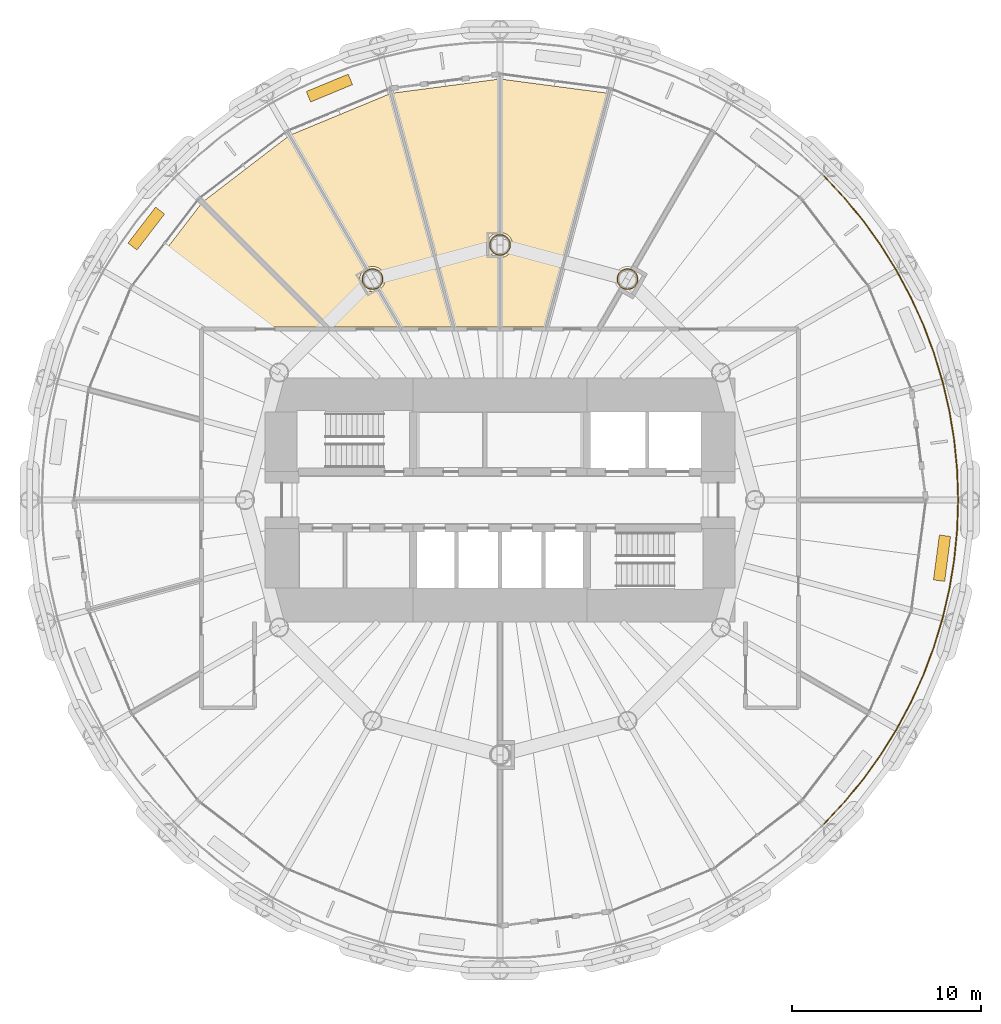
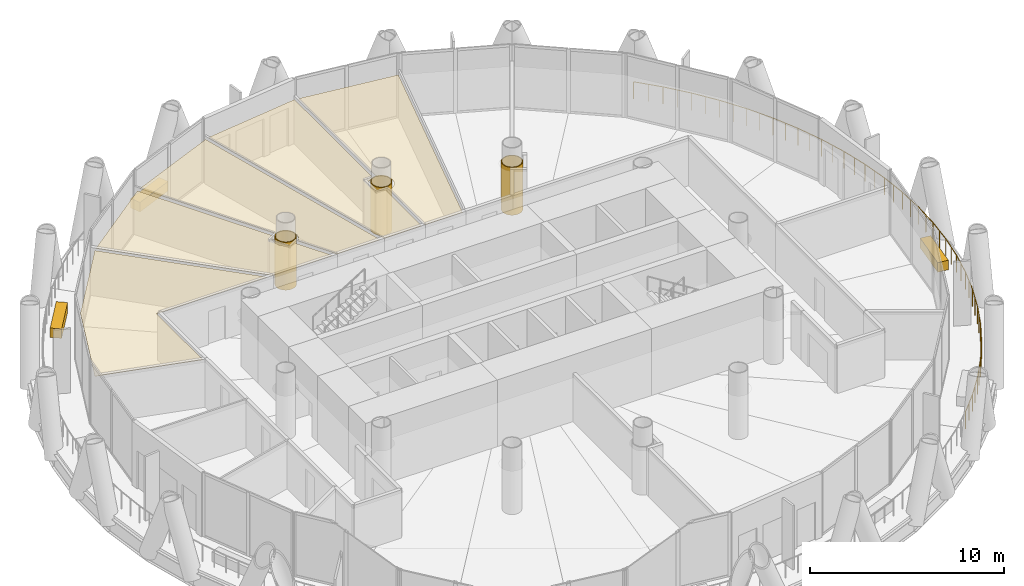
# One storey, part 15 of 16: 11 coverings, 1 railing.
"""IFC4 building model written with IfcOpenShell, lengths in metres."""

import ifcopenshell
import ifcopenshell.guid

model = None  # the IFC model being written
_history = None  # IfcOwnerHistory: only IFC2X3 demands one
_inside = {}  # id of a spatial element -> (the spatial element, [elements in it])
_under = {}  # id of a project, library or spatial element -> (it, [spatial elements below it])
_declared = {}  # id of a project -> (the project, [libraries it declares])
_typed = {}  # id of a type object -> (the type object, [elements of that type])
_made_of = {}  # id of a material, layer set ... -> (it, [elements and type objects made of it])


def new_model(schema):
    """Start an empty IFC model of exactly this schema.

    Asked for "IFC4X3", IfcOpenShell would pick the latest addendum, in which some entities
    have other attributes; the version numbers below select the first issue.
    IFC2X3 requires an IfcOwnerHistory on every rooted entity: one is made here for all.
    """
    global model, _history
    if schema == "IFC4X3":
        model = ifcopenshell.file(schema_version=(4, 3, 0, 0))
    else:
        model = ifcopenshell.file(schema=schema)
    _inside.clear()
    _under.clear()
    _declared.clear()
    _typed.clear()
    _made_of.clear()
    _history = None
    if model.schema == "IFC2X3":
        org = make("IfcOrganization", Name="unknown")
        user = make(
            "IfcPersonAndOrganization",
            ThePerson=make("IfcPerson", FamilyName="unknown"),
            TheOrganization=org,
        )
        app = make(
            "IfcApplication",
            ApplicationDeveloper=org,
            Version="unknown",
            ApplicationFullName="unknown",
            ApplicationIdentifier="unknown",
        )
        _history = make(
            "IfcOwnerHistory",
            OwningUser=user,
            OwningApplication=app,
            ChangeAction="ADDED",
            CreationDate=0,
        )
    return model


def make(cls, **values):
    """One entity of the class cls with the attributes given. An attribute that is None is left unset."""
    return model.create_entity(
        cls, **{name: value for name, value in values.items() if value is not None}
    )


def rooted(cls, **values):
    """An entity with a GlobalId (a new one), such as an element, a storey or a relation."""
    return make(cls, GlobalId=ifcopenshell.guid.new(), OwnerHistory=_history, **values)


def si_unit(unit_type, name, prefix=None):
    """IfcSIUnit, for example si_unit("LENGTHUNIT", "METRE", prefix="MILLI")."""
    return make("IfcSIUnit", UnitType=unit_type, Prefix=prefix, Name=name)


def assignment(units):
    """IfcUnitAssignment: the units of a project."""
    return None if units is None else make("IfcUnitAssignment", Units=units)


def point(xyz):
    """IfcCartesianPoint."""
    return None if xyz is None else make("IfcCartesianPoint", Coordinates=xyz)


def direction(xyz):
    """IfcDirection."""
    return None if xyz is None else make("IfcDirection", DirectionRatios=xyz)


def frame(location, z_axis=None, x_axis=None):
    """IfcAxis2Placement3D, a coordinate frame: its origin and axes. An axis left out is left unset."""
    return make(
        "IfcAxis2Placement3D",
        Location=point(location),
        Axis=direction(z_axis),
        RefDirection=direction(x_axis),
    )


def frame_2d(location, x_axis=None):
    """IfcAxis2Placement2D, a coordinate frame in the plane: its origin and x axis."""
    return make(
        "IfcAxis2Placement2D", Location=point(location), RefDirection=direction(x_axis)
    )


def origin():
    """The frame at (0, 0, 0) with its axes left unset."""
    return frame((0.0, 0.0, 0.0))


def origin_2d():
    """The frame at (0, 0) in the plane with its x axis left unset."""
    return frame_2d((0.0, 0.0))


def place(relative_to, where):
    """IfcLocalPlacement: puts the frame where relative to a parent placement (None: the world)."""
    return make(
        "IfcLocalPlacement", PlacementRelTo=relative_to, RelativePlacement=where
    )


def context(
    kind, dimensions, precision=None, world=None, true_north=None, identifier=None
):
    """IfcGeometricRepresentationContext, for example the 3D "Model" context."""
    return make(
        "IfcGeometricRepresentationContext",
        ContextIdentifier=identifier,
        ContextType=kind,
        CoordinateSpaceDimension=dimensions,
        Precision=precision,
        WorldCoordinateSystem=world,
        TrueNorth=true_north,
    )


def subcontext(parent, identifier, kind, view, scale=None):
    """IfcGeometricRepresentationSubContext, for example "Body" below "Model"."""
    return make(
        "IfcGeometricRepresentationSubContext",
        ContextIdentifier=identifier,
        ContextType=kind,
        ParentContext=parent,
        TargetScale=scale,
        TargetView=view,
    )


def project(units=None, contexts=None):
    """IfcProject with its units and contexts."""
    return rooted(
        "IfcProject",
        Name="project",
        RepresentationContexts=contexts,
        UnitsInContext=assignment(units),
    )


def spatial(cls, under=None, at=None, **own):
    """A site, building, storey or space (cls), placed at a placement, below another one or the project."""
    s = rooted(cls, ObjectPlacement=at, **own)
    if under is not None:
        _under.setdefault(under.id(), (under, []))[1].append(s)
    return s


def polyline(points):
    """IfcPolyline through the points."""
    return make("IfcPolyline", Points=[point(p) for p in points])


def profile(cls, at=None, kind="AREA", **sizes):
    """A parametric profile (cls). Its sizes go by their IFC names, for example OverallWidth=200.0."""
    return make(cls, ProfileType=kind, Position=at, **sizes)


def rectangle(**sizes):
    """IfcRectangleProfileDef."""
    return profile("IfcRectangleProfileDef", **sizes)


def circle(**sizes):
    """IfcCircleProfileDef."""
    return profile("IfcCircleProfileDef", **sizes)


def outline(outer, holes=None, kind="AREA"):
    """IfcArbitraryClosedProfileDef: a profile drawn as a closed curve; with holes, ...WithVoids."""
    if holes is None:
        return make("IfcArbitraryClosedProfileDef", ProfileType=kind, OuterCurve=outer)
    return make(
        "IfcArbitraryProfileDefWithVoids",
        ProfileType=kind,
        OuterCurve=outer,
        InnerCurves=holes,
    )


def extrude(swept, where, along, depth):
    """IfcExtrudedAreaSolid: the profile swept, set in the frame where, extruded along a direction by depth."""
    return make(
        "IfcExtrudedAreaSolid",
        SweptArea=swept,
        Position=where,
        ExtrudedDirection=direction(along),
        Depth=depth,
    )


def shape(context_of_items, identifier, shape_type, items):
    """IfcShapeRepresentation: the items that make up one representation, for example the "Body"."""
    return make(
        "IfcShapeRepresentation",
        ContextOfItems=context_of_items,
        RepresentationIdentifier=identifier,
        RepresentationType=shape_type,
        Items=items,
    )


def material(Name=None, Category=None):
    """IfcMaterial."""
    return make("IfcMaterial", Name=Name, Category=Category)


def layer(
    of_material, thickness, ventilated=None, Name=None, Category=None, Priority=None
):
    """IfcMaterialLayer: one layer of a wall or slab, of a material (None: an air gap)."""
    return make(
        "IfcMaterialLayer",
        Material=of_material,
        LayerThickness=thickness,
        IsVentilated=ventilated,
        Name=Name,
        Category=Category,
        Priority=Priority,
    )


def layer_set(layers, Name=None):
    """IfcMaterialLayerSet."""
    return make("IfcMaterialLayerSet", MaterialLayers=layers, LayerSetName=Name)


def made_of(thing, what):
    """Note that an element or type object is made of a material, layer set ...; save() writes the relation."""
    if what is not None:
        _made_of.setdefault(what.id(), (what, []))[1].append(thing)
    return thing


def type_object(cls, material=None, **own):
    """A type object (cls), such as IfcWallType, which elements share."""
    return made_of(rooted(cls, **own), material)


def element(
    cls,
    number,
    at=None,
    inside=None,
    cuts=None,
    type_object=None,
    material=None,
    context=None,
    identifier="Body",
    shape_type=None,
    held_by="IfcProductDefinitionShape",
    body=None,
    shapes=None,
    **own,
):
    """One element of the class cls, such as IfcWall. Its Tag is "e" and its number.

    at: its placement. inside: the storey or other place that contains it. cuts: it is an
    opening in that element (IfcRelVoidsElement). A single representation is given by context,
    identifier, shape_type and body (its items); several are given by shapes. held_by: the class
    of the entity that holds the representations. save() writes the other relations.
    """
    e = rooted(cls, Tag="e%d" % number, ObjectPlacement=at, **own)
    if body is not None:
        shapes = [shape(context, identifier, shape_type, body)]
    if shapes is not None:
        e.Representation = make(held_by, Representations=shapes)
    if inside is not None:
        _inside.setdefault(inside.id(), (inside, []))[1].append(e)
    if cuts is not None:
        rooted(
            "IfcRelVoidsElement", RelatingBuildingElement=cuts, RelatedOpeningElement=e
        )
    if type_object is not None:
        _typed.setdefault(type_object.id(), (type_object, []))[1].append(e)
    return made_of(e, material)


def aggregate(whole, parts):
    """IfcRelAggregates: a whole, such as a stair, and the parts it consists of."""
    return rooted("IfcRelAggregates", RelatingObject=whole, RelatedObjects=parts)


def save(model, path):
    """Write the relations noted so far, then the file.

    IfcRelAggregates (storeys below a building ...), IfcRelContainedInSpatialStructure (elements
    in a storey), IfcRelDefinesByType, IfcRelAssociatesMaterial and IfcRelDeclares: one each for
    every whole, place, type object, material and project.
    """
    for whole, parts in _under.values():
        aggregate(whole, parts)
    for where, things in _inside.values():
        rooted(
            "IfcRelContainedInSpatialStructure",
            RelatedElements=things,
            RelatingStructure=where,
        )
    for kind, things in _typed.values():
        rooted("IfcRelDefinesByType", RelatedObjects=things, RelatingType=kind)
    for what, things in _made_of.values():
        rooted("IfcRelAssociatesMaterial", RelatedObjects=things, RelatingMaterial=what)
    for by, libraries in _declared.values():
        rooted("IfcRelDeclares", RelatingContext=by, RelatedDefinitions=libraries)
    model.write(path)


model = new_model("IFC4")

# Units and contexts
model_context = context("Model", 3, precision=1e-05, world=origin(), true_north=direction((0.0, 1.0)))
body_context = subcontext(model_context, "Body", "Model", "MODEL_VIEW")
ifc_project = project(units=[si_unit("LENGTHUNIT", "METRE"), si_unit("AREAUNIT", "SQUARE_METRE"), si_unit("VOLUMEUNIT", "CUBIC_METRE"), si_unit("PLANEANGLEUNIT", "RADIAN"), si_unit("MASSUNIT", "GRAM", prefix="KILO")], contexts=[model_context])

# Site, building, storey
site_placement = place(None, origin())
site = spatial("IfcSite", under=ifc_project, at=site_placement, CompositionType="ELEMENT")
building_placement = place(site_placement, origin())
building = spatial("IfcBuilding", under=site, at=building_placement, Name="Qaws Media Tower", CompositionType="ELEMENT")
storey_placement = place(building_placement, frame((0.0, 0.0, 139.39990234375)))
storey = spatial("IfcBuildingStorey", under=building, at=storey_placement, Name="L31", CompositionType="ELEMENT", Elevation=139.39990234375)

# Covering
ifc_material_1 = material(Name="40 perforated acoustic panels with mineral wool backing, suspended", Category="mineral fibre")
ifc_layer_1 = layer(ifc_material_1, 0.0400390625)
ifc_layer_set_1 = layer_set([ifc_layer_1], Name="Acoustic panel ceiling 40")
covering_type_1 = type_object("IfcCoveringType", Name="Acoustic panel ceiling 40", PredefinedType="CEILING", material=ifc_layer_set_1)
covering_1_placement = place(storey_placement, frame((0.0, 0.0, 2.85009765625)))
element("IfcCovering", 1, at=covering_1_placement, inside=storey, type_object=covering_type_1, Name="CL3 ceiling L31-05 Meeting room", PredefinedType="CEILING", context=body_context, shape_type="SweptSolid", body=[
    extrude(outline(polyline([(59.887451171875, 72.2705078125), (59.887451171875, 64.1572265625), (59.8271484375, 64.145263671875), (59.744384765625, 64.1171875), (59.666015625, 64.07861328125), (59.59326171875, 64.030029296875), (59.527587890625, 63.972412109375), (59.469970703125, 63.90673828125), (59.42138671875, 63.833984375), (59.3828125, 63.755615234375), (59.354736328125, 63.6728515625), (59.337646484375, 63.587158203125), (59.33203125, 63.5), (59.337646484375, 63.412841796875), (59.354736328125, 63.3271484375), (59.3828125, 63.244384765625), (59.42138671875, 63.166015625), (59.469970703125, 63.09326171875), (59.527587890625, 63.027587890625), (59.59326171875, 62.969970703125), (59.666015625, 62.92138671875), (59.744384765625, 62.8828125), (59.8271484375, 62.854736328125), (59.887451171875, 62.8427734375), (59.887451171875, 59.16259765625), (57.661376953125, 59.16259765625), (54.3447265625, 71.540771484375), (59.887451171875, 72.2705078125)])), origin(), (0.0, 0.0, 1.0), 0.0400390625),
])

# Railing
ifc_material_2 = material(Name="Stainless steel and glass guard", Category="steel")
railing_type = type_object("IfcRailingType", Name="Balcony guard 1100", PredefinedType="GUARDRAIL", material=ifc_material_2)
railing_placement = place(storey_placement, frame((77.1474609375, 32.8525390625, 0.0)))
element("IfcRailing", 2, at=railing_placement, inside=storey, type_object=railing_type, Name="GR1 balcony guard L31-4", PredefinedType="GUARDRAIL", context=body_context, shape_type="SweptSolid", body=[
    extrude(circle(Radius=0.02392578125, at=origin_2d()), frame((0.0, 0.0, 1.076171875), z_axis=(0.683572560121, 0.729882562506, 0.0), x_axis=(-0.729882562506, 0.683572560121, 0.0)), (0.0, 0.0, 1.0), 1.5869140625),
    extrude(circle(Radius=0.02392578125, at=origin_2d()), frame((1.084716796875, 1.158203125, 1.076171875), z_axis=(0.634309538939, 0.773079173701, 0.0), x_axis=(-0.773079173701, 0.634309538939, 0.0)), (0.0, 0.0, 1.0), 1.5869140625),
    extrude(circle(Radius=0.02392578125, at=origin_2d()), frame((2.09130859375, 2.385009765625, 1.076171875), z_axis=(0.582503693952, 0.812828054715, 0.0), x_axis=(-0.812828054715, 0.582503693952, 0.0)), (0.0, 0.0, 1.0), 1.5869140625),
    extrude(circle(Radius=0.02392578125, at=origin_2d()), frame((3.015625, 3.6748046875, 1.076171875), z_axis=(0.528117041741, 0.849171590565, 0.0), x_axis=(-0.849171590565, 0.528117041741, 0.0)), (0.0, 0.0, 1.0), 1.5869140625),
    extrude(circle(Radius=0.02392578125, at=origin_2d()), frame((3.853759765625, 5.0224609375, 1.076171875), z_axis=(0.471418536424, 0.881909611874, 0.0), x_axis=(-0.881909611874, 0.471418536424, 0.0)), (0.0, 0.0, 1.0), 1.5869140625),
    extrude(circle(Radius=0.02392578125, at=origin_2d()), frame((4.601806640625, 6.421875, 1.076171875), z_axis=(0.412608719451, 0.910908362368, 0.0), x_axis=(-0.910908362368, 0.412608719451, 0.0)), (0.0, 0.0, 1.0), 1.5869140625),
    extrude(circle(Radius=0.02392578125, at=origin_2d()), frame((5.256591796875, 7.867431640625, 1.076171875), z_axis=(0.352320246807, 0.935879502762, 0.0), x_axis=(-0.935879502762, 0.352320246807, 0.0)), (0.0, 0.0, 1.0), 1.5869140625),
    extrude(circle(Radius=0.02392578125, at=origin_2d()), frame((5.815673828125, 9.3525390625, 1.076171875), z_axis=(0.290169656538, 0.956975219337, 0.0), x_axis=(-0.956975219337, 0.290169656538, 0.0)), (0.0, 0.0, 1.0), 1.5869140625),
    extrude(circle(Radius=0.02392578125, at=origin_2d()), frame((6.276123046875, 10.87109375, 1.076171875), z_axis=(0.227083706128, 0.973875243761, 0.0), x_axis=(-0.973875243761, 0.227083706128, 0.0)), (0.0, 0.0, 1.0), 1.5869140625),
    extrude(circle(Radius=0.02392578125, at=origin_2d()), frame((6.636474609375, 12.41650390625, 1.076171875), z_axis=(0.162926836817, 0.986638153451, 0.0), x_axis=(-0.986638153451, 0.162926836817, 0.0)), (0.0, 0.0, 1.0), 1.5869140625),
    extrude(circle(Radius=0.02392578125, at=origin_2d()), frame((6.89501953125, 13.982177734375, 1.076171875), z_axis=(0.097995674369, 0.995186840651, 0.0), x_axis=(-0.995186840651, 0.097995674369, 0.0)), (0.0, 0.0, 1.0), 1.5869140625),
    extrude(circle(Radius=0.02392578125, at=origin_2d()), frame((7.050537109375, 15.5615234375, 1.076171875), z_axis=(0.032771796378, 0.999462860422, 0.0), x_axis=(-0.999462860422, 0.032771796378, 0.0)), (0.0, 0.0, 1.0), 1.586669921875),
    extrude(circle(Radius=0.02392578125, at=origin_2d()), frame((7.1025390625, 17.1474609375, 1.076171875), z_axis=(-0.032771796378, 0.999462860422, 0.0), x_axis=(-0.999462860422, -0.032771796378, 0.0)), (0.0, 0.0, 1.0), 1.586669921875),
    extrude(circle(Radius=0.02392578125, at=origin_2d()), frame((7.050537109375, 18.7333984375, 1.076171875), z_axis=(-0.097995674369, 0.995186840651, 0.0), x_axis=(-0.995186840651, -0.097995674369, 0.0)), (0.0, 0.0, 1.0), 1.5869140625),
    extrude(circle(Radius=0.02392578125, at=origin_2d()), frame((6.89501953125, 20.312744140625, 1.076171875), z_axis=(-0.162926836817, 0.986638153451, 0.0), x_axis=(-0.986638153451, -0.162926836817, 0.0)), (0.0, 0.0, 1.0), 1.5869140625),
    extrude(circle(Radius=0.02392578125, at=origin_2d()), frame((6.636474609375, 21.87841796875, 1.076171875), z_axis=(-0.227083706128, 0.973875243761, 0.0), x_axis=(-0.973875243761, -0.227083706128, 0.0)), (0.0, 0.0, 1.0), 1.5869140625),
    extrude(circle(Radius=0.02392578125, at=origin_2d()), frame((6.276123046875, 23.423828125, 1.076171875), z_axis=(-0.290169656538, 0.956975219337, 0.0), x_axis=(-0.956975219337, -0.290169656538, 0.0)), (0.0, 0.0, 1.0), 1.5869140625),
    extrude(circle(Radius=0.02392578125, at=origin_2d()), frame((5.815673828125, 24.9423828125, 1.076171875), z_axis=(-0.352320246807, 0.935879502762, 0.0), x_axis=(-0.935879502762, -0.352320246807, 0.0)), (0.0, 0.0, 1.0), 1.5869140625),
    extrude(circle(Radius=0.02392578125, at=origin_2d()), frame((5.256591796875, 26.427490234375, 1.076171875), z_axis=(-0.412608719451, 0.910908362368, 0.0), x_axis=(-0.910908362368, -0.412608719451, 0.0)), (0.0, 0.0, 1.0), 1.5869140625),
    extrude(circle(Radius=0.02392578125, at=origin_2d()), frame((4.601806640625, 27.873046875, 1.076171875), z_axis=(-0.471418536424, 0.881909611874, 0.0), x_axis=(-0.881909611874, -0.471418536424, 0.0)), (0.0, 0.0, 1.0), 1.5869140625),
    extrude(circle(Radius=0.02392578125, at=origin_2d()), frame((3.853759765625, 29.2724609375, 1.076171875), z_axis=(-0.528117041741, 0.849171590565, 0.0), x_axis=(-0.849171590565, -0.528117041741, 0.0)), (0.0, 0.0, 1.0), 1.5869140625),
    extrude(circle(Radius=0.02392578125, at=origin_2d()), frame((3.015625, 30.6201171875, 1.076171875), z_axis=(-0.582503693952, 0.812828054715, 0.0), x_axis=(-0.812828054715, -0.582503693952, 0.0)), (0.0, 0.0, 1.0), 1.5869140625),
    extrude(circle(Radius=0.02392578125, at=origin_2d()), frame((2.09130859375, 31.909912109375, 1.076171875), z_axis=(-0.634309538939, 0.773079173701, 0.0), x_axis=(-0.773079173701, -0.634309538939, 0.0)), (0.0, 0.0, 1.0), 1.5869140625),
    extrude(circle(Radius=0.02392578125, at=origin_2d()), frame((1.084716796875, 33.13671875, 1.076171875), z_axis=(-0.683572560121, 0.729882562506, 0.0), x_axis=(-0.729882562506, -0.683572560121, 0.0)), (0.0, 0.0, 1.0), 1.5869140625),
    extrude(circle(Radius=0.02099609375, at=origin_2d()), origin(), (0.0, 0.0, 1.0), 1.052001953125),
    extrude(circle(Radius=0.02099609375, at=origin_2d()), frame((0.54248046875, 0.5791015625, 0.0)), (0.0, 0.0, 1.0), 1.052001953125),
    extrude(circle(Radius=0.02099609375, at=origin_2d()), frame((1.084716796875, 1.158203125, 0.0)), (0.0, 0.0, 1.0), 1.052001953125),
    extrude(circle(Radius=0.02099609375, at=origin_2d()), frame((1.587890625, 1.771484375, 0.0)), (0.0, 0.0, 1.0), 1.052001953125),
    extrude(circle(Radius=0.02099609375, at=origin_2d()), frame((2.09130859375, 2.385009765625, 0.0)), (0.0, 0.0, 1.0), 1.052001953125),
    extrude(circle(Radius=0.02099609375, at=origin_2d()), frame((2.553466796875, 3.02978515625, 0.0)), (0.0, 0.0, 1.0), 1.052001953125),
    extrude(circle(Radius=0.02099609375, at=origin_2d()), frame((3.015625, 3.6748046875, 0.0)), (0.0, 0.0, 1.0), 1.052001953125),
    extrude(circle(Radius=0.02099609375, at=origin_2d()), frame((3.4345703125, 4.3486328125, 0.0)), (0.0, 0.0, 1.0), 1.052001953125),
    extrude(circle(Radius=0.02099609375, at=origin_2d()), frame((3.853759765625, 5.0224609375, 0.0)), (0.0, 0.0, 1.0), 1.052001953125),
    extrude(circle(Radius=0.02099609375, at=origin_2d()), frame((4.227783203125, 5.72216796875, 0.0)), (0.0, 0.0, 1.0), 1.052001953125),
    extrude(circle(Radius=0.02099609375, at=origin_2d()), frame((4.601806640625, 6.421875, 0.0)), (0.0, 0.0, 1.0), 1.052001953125),
    extrude(circle(Radius=0.02099609375, at=origin_2d()), frame((4.92919921875, 7.14453125, 0.0)), (0.0, 0.0, 1.0), 1.052001953125),
    extrude(circle(Radius=0.02099609375, at=origin_2d()), frame((5.256591796875, 7.867431640625, 0.0)), (0.0, 0.0, 1.0), 1.052001953125),
    extrude(circle(Radius=0.02099609375, at=origin_2d()), frame((5.5361328125, 8.60986328125, 0.0)), (0.0, 0.0, 1.0), 1.052001953125),
    extrude(circle(Radius=0.02099609375, at=origin_2d()), frame((5.815673828125, 9.3525390625, 0.0)), (0.0, 0.0, 1.0), 1.052001953125),
    extrude(circle(Radius=0.02099609375, at=origin_2d()), frame((6.0458984375, 10.11181640625, 0.0)), (0.0, 0.0, 1.0), 1.052001953125),
    extrude(circle(Radius=0.02099609375, at=origin_2d()), frame((6.276123046875, 10.87109375, 0.0)), (0.0, 0.0, 1.0), 1.052001953125),
    extrude(circle(Radius=0.02099609375, at=origin_2d()), frame((6.456298828125, 11.643798828125, 0.0)), (0.0, 0.0, 1.0), 1.052001953125),
    extrude(circle(Radius=0.02099609375, at=origin_2d()), frame((6.636474609375, 12.41650390625, 0.0)), (0.0, 0.0, 1.0), 1.052001953125),
    extrude(circle(Radius=0.02099609375, at=origin_2d()), frame((6.765625, 13.19921875, 0.0)), (0.0, 0.0, 1.0), 1.052001953125),
    extrude(circle(Radius=0.02099609375, at=origin_2d()), frame((6.89501953125, 13.982177734375, 0.0)), (0.0, 0.0, 1.0), 1.052001953125),
    extrude(circle(Radius=0.02099609375, at=origin_2d()), frame((6.97265625, 14.77197265625, 0.0)), (0.0, 0.0, 1.0), 1.052001953125),
    extrude(circle(Radius=0.02099609375, at=origin_2d()), frame((7.050537109375, 15.5615234375, 0.0)), (0.0, 0.0, 1.0), 1.052001953125),
    extrude(circle(Radius=0.02099609375, at=origin_2d()), frame((7.07666015625, 16.3544921875, 0.0)), (0.0, 0.0, 1.0), 1.052001953125),
    extrude(circle(Radius=0.02099609375, at=origin_2d()), frame((7.1025390625, 17.1474609375, 0.0)), (0.0, 0.0, 1.0), 1.052001953125),
    extrude(circle(Radius=0.02099609375, at=origin_2d()), frame((7.07666015625, 17.9404296875, 0.0)), (0.0, 0.0, 1.0), 1.052001953125),
    extrude(circle(Radius=0.02099609375, at=origin_2d()), frame((7.050537109375, 18.7333984375, 0.0)), (0.0, 0.0, 1.0), 1.052001953125),
    extrude(circle(Radius=0.02099609375, at=origin_2d()), frame((6.97265625, 19.52294921875, 0.0)), (0.0, 0.0, 1.0), 1.052001953125),
    extrude(circle(Radius=0.02099609375, at=origin_2d()), frame((6.89501953125, 20.312744140625, 0.0)), (0.0, 0.0, 1.0), 1.052001953125),
    extrude(circle(Radius=0.02099609375, at=origin_2d()), frame((6.765625, 21.095703125, 0.0)), (0.0, 0.0, 1.0), 1.052001953125),
    extrude(circle(Radius=0.02099609375, at=origin_2d()), frame((6.636474609375, 21.87841796875, 0.0)), (0.0, 0.0, 1.0), 1.052001953125),
    extrude(circle(Radius=0.02099609375, at=origin_2d()), frame((6.456298828125, 22.651123046875, 0.0)), (0.0, 0.0, 1.0), 1.052001953125),
    extrude(circle(Radius=0.02099609375, at=origin_2d()), frame((6.276123046875, 23.423828125, 0.0)), (0.0, 0.0, 1.0), 1.052001953125),
    extrude(circle(Radius=0.02099609375, at=origin_2d()), frame((6.0458984375, 24.18310546875, 0.0)), (0.0, 0.0, 1.0), 1.052001953125),
    extrude(circle(Radius=0.02099609375, at=origin_2d()), frame((5.815673828125, 24.9423828125, 0.0)), (0.0, 0.0, 1.0), 1.052001953125),
    extrude(circle(Radius=0.02099609375, at=origin_2d()), frame((5.5361328125, 25.68505859375, 0.0)), (0.0, 0.0, 1.0), 1.052001953125),
    extrude(circle(Radius=0.02099609375, at=origin_2d()), frame((5.256591796875, 26.427490234375, 0.0)), (0.0, 0.0, 1.0), 1.052001953125),
    extrude(circle(Radius=0.02099609375, at=origin_2d()), frame((4.92919921875, 27.150390625, 0.0)), (0.0, 0.0, 1.0), 1.052001953125),
    extrude(circle(Radius=0.02099609375, at=origin_2d()), frame((4.601806640625, 27.873046875, 0.0)), (0.0, 0.0, 1.0), 1.052001953125),
    extrude(circle(Radius=0.02099609375, at=origin_2d()), frame((4.227783203125, 28.57275390625, 0.0)), (0.0, 0.0, 1.0), 1.052001953125),
    extrude(circle(Radius=0.02099609375, at=origin_2d()), frame((3.853759765625, 29.2724609375, 0.0)), (0.0, 0.0, 1.0), 1.052001953125),
    extrude(circle(Radius=0.02099609375, at=origin_2d()), frame((3.4345703125, 29.9462890625, 0.0)), (0.0, 0.0, 1.0), 1.052001953125),
    extrude(circle(Radius=0.02099609375, at=origin_2d()), frame((3.015625, 30.6201171875, 0.0)), (0.0, 0.0, 1.0), 1.052001953125),
    extrude(circle(Radius=0.02099609375, at=origin_2d()), frame((2.553466796875, 31.26513671875, 0.0)), (0.0, 0.0, 1.0), 1.052001953125),
    extrude(circle(Radius=0.02099609375, at=origin_2d()), frame((2.09130859375, 31.909912109375, 0.0)), (0.0, 0.0, 1.0), 1.052001953125),
    extrude(circle(Radius=0.02099609375, at=origin_2d()), frame((1.587890625, 32.5234375, 0.0)), (0.0, 0.0, 1.0), 1.052001953125),
    extrude(circle(Radius=0.02099609375, at=origin_2d()), frame((1.084716796875, 33.13671875, 0.0)), (0.0, 0.0, 1.0), 1.052001953125),
    extrude(circle(Radius=0.02099609375, at=origin_2d()), frame((0.54248046875, 33.7158203125, 0.0)), (0.0, 0.0, 1.0), 1.052001953125),
    extrude(circle(Radius=0.02099609375, at=origin_2d()), frame((0.0, 34.294921875, 0.0)), (0.0, 0.0, 1.0), 1.052001953125),
])

# Coverings
ifc_material_3 = material(Name="Two layers 15 fire-rated gypsum board on steel framing", Category="steel")
ifc_layer_2 = layer(ifc_material_3, 0.050048828125)
ifc_layer_set_2 = layer_set([ifc_layer_2], Name="Column fire casing")
covering_type_2 = type_object("IfcCoveringType", Name="Column fire casing", PredefinedType="CLADDING", material=ifc_layer_set_2)
covering_2_placement = place(storey_placement, origin())
element("IfcCovering", 3, at=covering_2_placement, inside=storey, type_object=covering_type_2, Name="CC1 column casing L31", PredefinedType="CLADDING", context=body_context, shape_type="SweptSolid", body=[
    extrude(outline(polyline([(67.31298828125, 61.69140625), (67.30810546875, 61.617919921875), (67.293701171875, 61.545654296875), (67.27001953125, 61.475830078125), (67.237548828125, 61.409912109375), (67.19677734375, 61.3486328125), (67.148193359375, 61.293212890625), (67.0927734375, 61.24462890625), (67.031494140625, 61.203857421875), (66.965576171875, 61.171142578125), (66.895751953125, 61.1474609375), (66.823486328125, 61.13330078125), (66.75, 61.12841796875), (66.676513671875, 61.13330078125), (66.604248046875, 61.1474609375), (66.534423828125, 61.171142578125), (66.468505859375, 61.203857421875), (66.4072265625, 61.24462890625), (66.351806640625, 61.293212890625), (66.30322265625, 61.3486328125), (66.262451171875, 61.409912109375), (66.22998046875, 61.475830078125), (66.206298828125, 61.545654296875), (66.19189453125, 61.617919921875), (66.18701171875, 61.69140625), (66.19189453125, 61.764892578125), (66.206298828125, 61.837158203125), (66.22998046875, 61.90673828125), (66.262451171875, 61.972900390625), (66.30322265625, 62.0341796875), (66.351806640625, 62.08935546875), (66.4072265625, 62.137939453125), (66.468505859375, 62.178955078125), (66.534423828125, 62.21142578125), (66.604248046875, 62.235107421875), (66.676513671875, 62.24951171875), (66.75, 62.25439453125), (66.823486328125, 62.24951171875), (66.895751953125, 62.235107421875), (66.965576171875, 62.21142578125), (67.031494140625, 62.178955078125), (67.0927734375, 62.137939453125), (67.148193359375, 62.08935546875), (67.19677734375, 62.0341796875), (67.237548828125, 61.972900390625), (67.27001953125, 61.90673828125), (67.293701171875, 61.837158203125), (67.30810546875, 61.764892578125), (67.31298828125, 61.69140625)]), holes=[polyline([(67.260986328125, 61.69140625), (67.256591796875, 61.62451171875), (67.24365234375, 61.55908203125), (67.22216796875, 61.495849609375), (67.1923828125, 61.435791015625), (67.155517578125, 61.38037109375), (67.111328125, 61.330078125), (67.06103515625, 61.285888671875), (67.005615234375, 61.248779296875), (66.945556640625, 61.21923828125), (66.88232421875, 61.19775390625), (66.816650390625, 61.184814453125), (66.75, 61.180419921875), (66.683349609375, 61.184814453125), (66.61767578125, 61.19775390625), (66.554443359375, 61.21923828125), (66.494384765625, 61.248779296875), (66.43896484375, 61.285888671875), (66.388671875, 61.330078125), (66.344482421875, 61.38037109375), (66.3076171875, 61.435791015625), (66.27783203125, 61.495849609375), (66.25634765625, 61.55908203125), (66.243408203125, 61.62451171875), (66.239013671875, 61.69140625), (66.243408203125, 61.758056640625), (66.25634765625, 61.823486328125), (66.27783203125, 61.886962890625), (66.3076171875, 61.94677734375), (66.344482421875, 62.00244140625), (66.388671875, 62.052734375), (66.43896484375, 62.0966796875), (66.494384765625, 62.1337890625), (66.554443359375, 62.163330078125), (66.61767578125, 62.184814453125), (66.683349609375, 62.197998046875), (66.75, 62.202392578125), (66.816650390625, 62.197998046875), (66.88232421875, 62.184814453125), (66.945556640625, 62.163330078125), (67.005615234375, 62.1337890625), (67.06103515625, 62.0966796875), (67.111328125, 62.052734375), (67.155517578125, 62.00244140625), (67.1923828125, 61.94677734375), (67.22216796875, 61.886962890625), (67.24365234375, 61.823486328125), (67.256591796875, 61.758056640625), (67.260986328125, 61.69140625)])]), origin(), (0.0, 0.0, 1.0), 3.02001953125),
])
covering_3_placement = place(storey_placement, origin())
element("IfcCovering", 4, at=covering_3_placement, inside=storey, type_object=covering_type_2, Name="CC1 column casing L31", PredefinedType="CLADDING", context=body_context, shape_type="SweptSolid", body=[
    extrude(outline(polyline([(60.56298828125, 63.5), (60.55810546875, 63.426513671875), (60.543701171875, 63.354248046875), (60.52001953125, 63.284423828125), (60.487548828125, 63.218505859375), (60.44677734375, 63.1572265625), (60.398193359375, 63.101806640625), (60.3427734375, 63.05322265625), (60.281494140625, 63.012451171875), (60.215576171875, 62.97998046875), (60.145751953125, 62.956298828125), (60.073486328125, 62.94189453125), (60.0, 62.93701171875), (59.926513671875, 62.94189453125), (59.854248046875, 62.956298828125), (59.784423828125, 62.97998046875), (59.718505859375, 63.012451171875), (59.6572265625, 63.05322265625), (59.601806640625, 63.101806640625), (59.55322265625, 63.1572265625), (59.512451171875, 63.218505859375), (59.47998046875, 63.284423828125), (59.456298828125, 63.354248046875), (59.44189453125, 63.426513671875), (59.43701171875, 63.5), (59.44189453125, 63.573486328125), (59.456298828125, 63.645751953125), (59.47998046875, 63.715576171875), (59.512451171875, 63.781494140625), (59.55322265625, 63.8427734375), (59.601806640625, 63.898193359375), (59.6572265625, 63.94677734375), (59.718505859375, 63.987548828125), (59.784423828125, 64.02001953125), (59.854248046875, 64.043701171875), (59.926513671875, 64.05810546875), (60.0, 64.06298828125), (60.073486328125, 64.05810546875), (60.145751953125, 64.043701171875), (60.215576171875, 64.02001953125), (60.281494140625, 63.987548828125), (60.3427734375, 63.94677734375), (60.398193359375, 63.898193359375), (60.44677734375, 63.8427734375), (60.487548828125, 63.781494140625), (60.52001953125, 63.715576171875), (60.543701171875, 63.645751953125), (60.55810546875, 63.573486328125), (60.56298828125, 63.5)]), holes=[polyline([(60.510986328125, 63.5), (60.506591796875, 63.433349609375), (60.49365234375, 63.36767578125), (60.47216796875, 63.304443359375), (60.4423828125, 63.244384765625), (60.405517578125, 63.18896484375), (60.361328125, 63.138671875), (60.31103515625, 63.094482421875), (60.255615234375, 63.0576171875), (60.195556640625, 63.02783203125), (60.13232421875, 63.00634765625), (60.066650390625, 62.993408203125), (60.0, 62.989013671875), (59.933349609375, 62.993408203125), (59.86767578125, 63.00634765625), (59.804443359375, 63.02783203125), (59.744384765625, 63.0576171875), (59.68896484375, 63.094482421875), (59.638671875, 63.138671875), (59.594482421875, 63.18896484375), (59.5576171875, 63.244384765625), (59.52783203125, 63.304443359375), (59.50634765625, 63.36767578125), (59.493408203125, 63.433349609375), (59.489013671875, 63.5), (59.493408203125, 63.566650390625), (59.50634765625, 63.63232421875), (59.52783203125, 63.695556640625), (59.5576171875, 63.755615234375), (59.594482421875, 63.81103515625), (59.638671875, 63.861328125), (59.68896484375, 63.905517578125), (59.744384765625, 63.9423828125), (59.804443359375, 63.97216796875), (59.86767578125, 63.99365234375), (59.933349609375, 64.006591796875), (60.0, 64.010986328125), (60.066650390625, 64.006591796875), (60.13232421875, 63.99365234375), (60.195556640625, 63.97216796875), (60.255615234375, 63.9423828125), (60.31103515625, 63.905517578125), (60.361328125, 63.861328125), (60.405517578125, 63.81103515625), (60.4423828125, 63.755615234375), (60.47216796875, 63.695556640625), (60.49365234375, 63.63232421875), (60.506591796875, 63.566650390625), (60.510986328125, 63.5)])]), origin(), (0.0, 0.0, 1.0), 3.02001953125),
])
covering_4_placement = place(storey_placement, origin())
element("IfcCovering", 5, at=covering_4_placement, inside=storey, type_object=covering_type_2, Name="CC1 column casing L31", PredefinedType="CLADDING", context=body_context, shape_type="SweptSolid", body=[
    extrude(outline(polyline([(53.81298828125, 61.69140625), (53.80810546875, 61.617919921875), (53.793701171875, 61.545654296875), (53.77001953125, 61.475830078125), (53.737548828125, 61.409912109375), (53.69677734375, 61.3486328125), (53.648193359375, 61.293212890625), (53.5927734375, 61.24462890625), (53.531494140625, 61.203857421875), (53.465576171875, 61.171142578125), (53.395751953125, 61.1474609375), (53.323486328125, 61.13330078125), (53.25, 61.12841796875), (53.176513671875, 61.13330078125), (53.104248046875, 61.1474609375), (53.034423828125, 61.171142578125), (52.968505859375, 61.203857421875), (52.9072265625, 61.24462890625), (52.851806640625, 61.293212890625), (52.80322265625, 61.3486328125), (52.762451171875, 61.409912109375), (52.72998046875, 61.475830078125), (52.706298828125, 61.545654296875), (52.69189453125, 61.617919921875), (52.68701171875, 61.69140625), (52.69189453125, 61.764892578125), (52.706298828125, 61.837158203125), (52.72998046875, 61.90673828125), (52.762451171875, 61.972900390625), (52.80322265625, 62.0341796875), (52.851806640625, 62.08935546875), (52.9072265625, 62.137939453125), (52.968505859375, 62.178955078125), (53.034423828125, 62.21142578125), (53.104248046875, 62.235107421875), (53.176513671875, 62.24951171875), (53.25, 62.25439453125), (53.323486328125, 62.24951171875), (53.395751953125, 62.235107421875), (53.465576171875, 62.21142578125), (53.531494140625, 62.178955078125), (53.5927734375, 62.137939453125), (53.648193359375, 62.08935546875), (53.69677734375, 62.0341796875), (53.737548828125, 61.972900390625), (53.77001953125, 61.90673828125), (53.793701171875, 61.837158203125), (53.80810546875, 61.764892578125), (53.81298828125, 61.69140625)]), holes=[polyline([(53.760986328125, 61.69140625), (53.756591796875, 61.62451171875), (53.74365234375, 61.55908203125), (53.72216796875, 61.495849609375), (53.6923828125, 61.435791015625), (53.655517578125, 61.38037109375), (53.611328125, 61.330078125), (53.56103515625, 61.285888671875), (53.505615234375, 61.248779296875), (53.445556640625, 61.21923828125), (53.38232421875, 61.19775390625), (53.316650390625, 61.184814453125), (53.25, 61.180419921875), (53.183349609375, 61.184814453125), (53.11767578125, 61.19775390625), (53.054443359375, 61.21923828125), (52.994384765625, 61.248779296875), (52.93896484375, 61.285888671875), (52.888671875, 61.330078125), (52.844482421875, 61.38037109375), (52.8076171875, 61.435791015625), (52.77783203125, 61.495849609375), (52.75634765625, 61.55908203125), (52.743408203125, 61.62451171875), (52.739013671875, 61.69140625), (52.743408203125, 61.758056640625), (52.75634765625, 61.823486328125), (52.77783203125, 61.886962890625), (52.8076171875, 61.94677734375), (52.844482421875, 62.00244140625), (52.888671875, 62.052734375), (52.93896484375, 62.0966796875), (52.994384765625, 62.1337890625), (53.054443359375, 62.163330078125), (53.11767578125, 62.184814453125), (53.183349609375, 62.197998046875), (53.25, 62.202392578125), (53.316650390625, 62.197998046875), (53.38232421875, 62.184814453125), (53.445556640625, 62.163330078125), (53.505615234375, 62.1337890625), (53.56103515625, 62.0966796875), (53.611328125, 62.052734375), (53.655517578125, 62.00244140625), (53.6923828125, 61.94677734375), (53.72216796875, 61.886962890625), (53.74365234375, 61.823486328125), (53.756591796875, 61.758056640625), (53.760986328125, 61.69140625)])]), origin(), (0.0, 0.0, 1.0), 3.02001953125),
])
ifc_material_4 = material(Name="600 x 600 mineral fibre tiles in exposed grid, suspended", Category="mineral fibre")
ifc_layer_3 = layer(ifc_material_4, 0.02001953125)
ifc_layer_set_3 = layer_set([ifc_layer_3], Name="Mineral fibre tile ceiling 20")
covering_type_3 = type_object("IfcCoveringType", Name="Mineral fibre tile ceiling 20", PredefinedType="CEILING", material=ifc_layer_set_3)
covering_5_placement = place(storey_placement, frame((0.0, 0.0, 2.85009765625)))
element("IfcCovering", 6, at=covering_5_placement, inside=storey, type_object=covering_type_3, Name="CL1 ceiling L31-04 Office", PredefinedType="CEILING", context=body_context, shape_type="SweptSolid", body=[
    extrude(outline(polyline([(65.6552734375, 71.540771484375), (62.338623046875, 59.16259765625), (60.112548828125, 59.16259765625), (60.112548828125, 62.8427734375), (60.1728515625, 62.854736328125), (60.255615234375, 62.8828125), (60.333984375, 62.92138671875), (60.40673828125, 62.969970703125), (60.472412109375, 63.027587890625), (60.530029296875, 63.09326171875), (60.57861328125, 63.166015625), (60.6171875, 63.244384765625), (60.645263671875, 63.3271484375), (60.662353515625, 63.412841796875), (60.66796875, 63.5), (60.662353515625, 63.587158203125), (60.645263671875, 63.6728515625), (60.6171875, 63.755615234375), (60.57861328125, 63.833984375), (60.530029296875, 63.90673828125), (60.472412109375, 63.972412109375), (60.40673828125, 64.030029296875), (60.333984375, 64.07861328125), (60.255615234375, 64.1171875), (60.1728515625, 64.145263671875), (60.112548828125, 64.1572265625), (60.112548828125, 72.2705078125), (65.6552734375, 71.540771484375)])), origin(), (0.0, 0.0, 1.0), 0.02001953125),
])
covering_6_placement = place(storey_placement, frame((0.0, 0.0, 2.85009765625)))
element("IfcCovering", 7, at=covering_6_placement, inside=storey, type_object=covering_type_3, Name="CL1 ceiling L31-06 Office", PredefinedType="CEILING", context=body_context, shape_type="SweptSolid", body=[
    extrude(outline(polyline([(54.127197265625, 71.482421875), (57.428466796875, 59.16259765625), (54.83984375, 59.16259765625), (53.676025390625, 61.178466796875), (53.722412109375, 61.218994140625), (53.780029296875, 61.28466796875), (53.82861328125, 61.357421875), (53.8671875, 61.435791015625), (53.895263671875, 61.5185546875), (53.912353515625, 61.604248046875), (53.91796875, 61.69140625), (53.912353515625, 61.778564453125), (53.895263671875, 61.8642578125), (53.8671875, 61.947021484375), (53.82861328125, 62.025390625), (53.780029296875, 62.097900390625), (53.722412109375, 62.163818359375), (53.65673828125, 62.22119140625), (53.583984375, 62.269775390625), (53.505615234375, 62.30859375), (53.4228515625, 62.336669921875), (53.337158203125, 62.353515625), (53.25, 62.359375), (53.162841796875, 62.353515625), (53.0771484375, 62.336669921875), (53.018798828125, 62.31689453125), (48.962158203125, 69.343017578125), (54.127197265625, 71.482421875)])), origin(), (0.0, 0.0, 1.0), 0.02001953125),
])
covering_7_placement = place(storey_placement, frame((0.0, 0.0, 2.85009765625)))
element("IfcCovering", 8, at=covering_7_placement, inside=storey, type_object=covering_type_3, Name="CL1 ceiling L31-07 Office", PredefinedType="CEILING", context=body_context, shape_type="SweptSolid", body=[
    extrude(outline(polyline([(48.767333984375, 69.23046875), (52.823974609375, 62.204345703125), (52.777587890625, 62.163818359375), (52.719970703125, 62.097900390625), (52.67138671875, 62.025390625), (52.6328125, 61.947021484375), (52.604736328125, 61.8642578125), (52.587646484375, 61.778564453125), (52.58203125, 61.69140625), (52.587646484375, 61.604248046875), (52.604736328125, 61.5185546875), (52.6328125, 61.435791015625), (52.67138671875, 61.357421875), (52.719970703125, 61.28466796875), (52.777587890625, 61.218994140625), (52.84326171875, 61.161376953125), (52.916015625, 61.11279296875), (52.994384765625, 61.07421875), (53.0771484375, 61.046142578125), (53.162841796875, 61.029052734375), (53.25, 61.023193359375), (53.337158203125, 61.029052734375), (53.4228515625, 61.046142578125), (53.481201171875, 61.06591796875), (54.580078125, 59.16259765625), (50.99658203125, 59.16259765625), (44.33203125, 65.8271484375), (48.767333984375, 69.23046875)])), origin(), (0.0, 0.0, 1.0), 0.02001953125),
])
ifc_material_5 = material(Name="Precast concrete planter with trailing planting", Category="concrete")
ifc_layer_4 = layer(ifc_material_5, 0.60009765625)
ifc_layer_set_4 = layer_set([ifc_layer_4], Name="Planter 2400x600")
covering_type_4 = type_object("IfcCoveringType", Name="Planter 2400x600", PredefinedType="USERDEFINED", material=ifc_layer_set_4)
for number, where, z_axis, x_axis, name in (
    (9, (50.96875, 71.803466796875, 0.0), (0.0, 0.0, 1.0), (-0.923879532511, -0.382683432365, 0.0), "PL1 balcony planter L31-04"),
    (10, (41.27685546875, 64.36669921875, 0.0), (0.0, 0.0, 1.0), (-0.608761429009, -0.793353340291, 0.0), "PL1 balcony planter L31-05"),
    (11, (83.398193359375, 46.919677734375, 0.0), (0.0, 0.0, 1.0), (0.13052619222, 0.991444861374, 0.0), "PL1 balcony planter L31-12"),
):
    element("IfcCovering", number, at=place(storey_placement, frame(where, z_axis=z_axis, x_axis=x_axis)), inside=storey, type_object=covering_type_4, Name=name, ObjectType="PLANTER", PredefinedType="USERDEFINED", context=body_context, shape_type="SweptSolid", body=[
        extrude(rectangle(XDim=2.39990234375, YDim=0.60009765625, at=origin_2d()), origin(), (0.0, 0.0, 1.0), 0.60009765625),
    ])
ifc_material_6 = material(Name="Two layers 12.5 moisture-resistant plasterboard on suspended metal furring", Category="gypsum")
ifc_layer_5 = layer(ifc_material_6, 0.02490234375)
ifc_layer_set_5 = layer_set([ifc_layer_5], Name="Plasterboard ceiling 25")
covering_type_5 = type_object("IfcCoveringType", Name="Plasterboard ceiling 25", PredefinedType="CEILING", material=ifc_layer_set_5)
covering_8_placement = place(storey_placement, frame((0.0, 0.0, 2.85009765625)))
element("IfcCovering", 12, at=covering_8_placement, inside=storey, type_object=covering_type_5, Name="CL2 ceiling L31-08 Legal library", PredefinedType="CEILING", context=body_context, shape_type="SweptSolid", body=[
    extrude(outline(polyline([(40.700439453125, 61.142578125), (44.1728515625, 65.66796875), (50.678466796875, 59.16259765625), (44.08740234375, 59.16259765625), (44.08740234375, 54.380126953125), (38.517578125, 55.872802734375), (40.700439453125, 61.142578125)])), origin(), (0.0, 0.0, 1.0), 0.02490234375),
])

save(model, "model.ifc")
